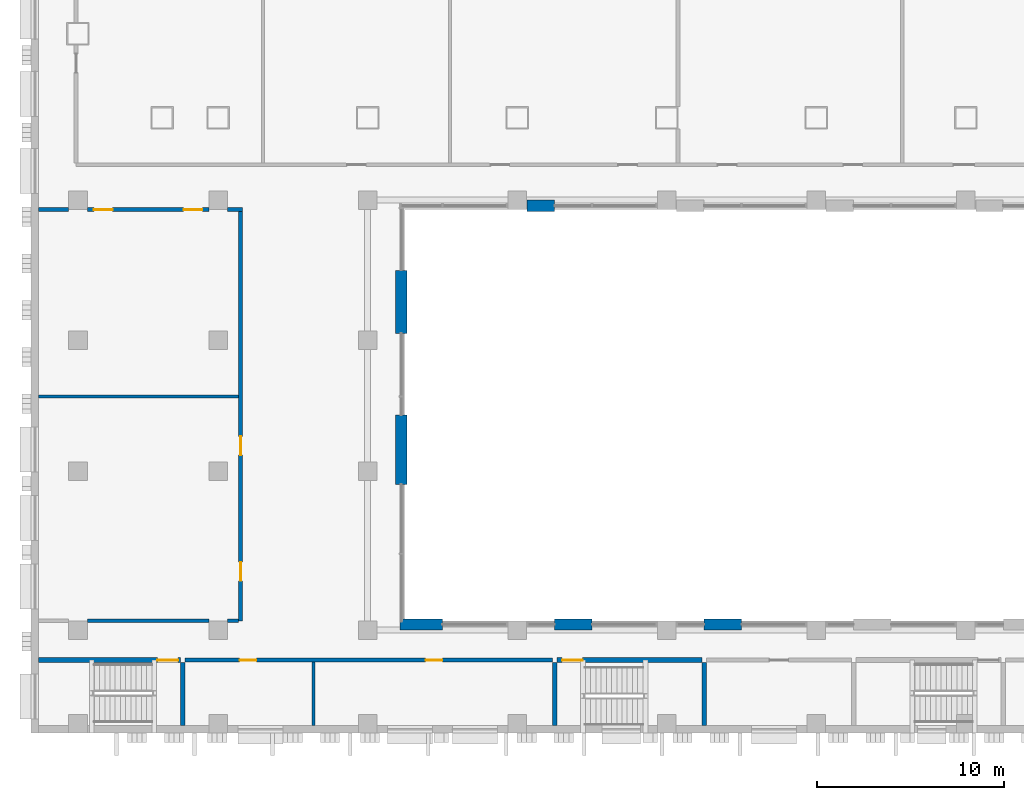
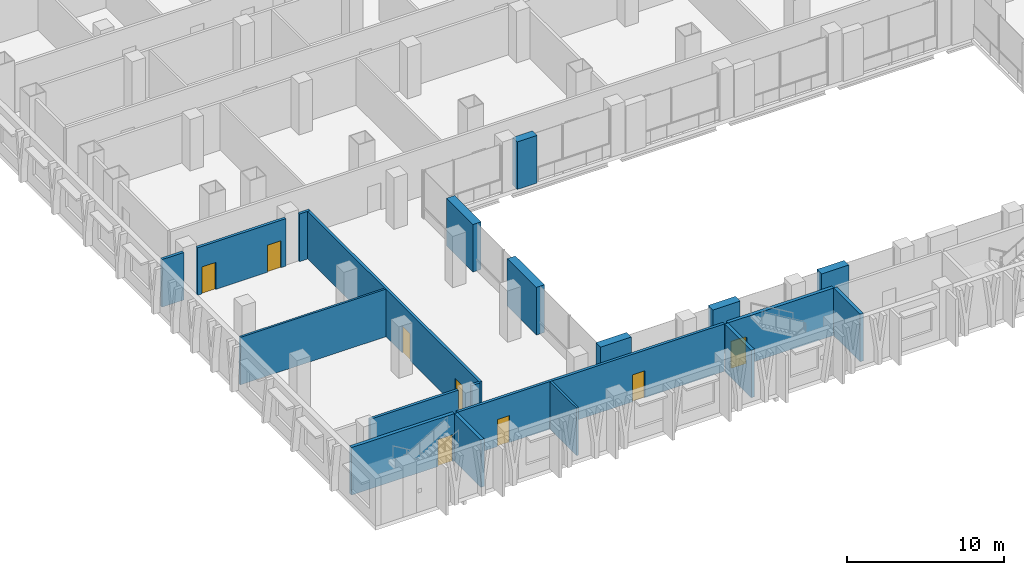
# One storey, part 8 of 26: 20 walls, 8 doors, 8 openings.
"""IFC4 building model written with IfcOpenShell, lengths in metres."""

from ifc_helpers import new_model, si_unit, direction, frame, frame_2d, origin, place, context, subcontext, project, spatial, rectangle, extrude, material, layer, layer_set, type_object, element, fill, save


model = new_model("IFC4")

# Units and contexts
model_context = context("Model", 3, precision=1e-05, world=origin(), true_north=direction((0.0, 1.0)))
body_context = subcontext(model_context, "Body", "Model", "MODEL_VIEW")
ifc_project = project(units=[si_unit("LENGTHUNIT", "METRE"), si_unit("AREAUNIT", "SQUARE_METRE"), si_unit("VOLUMEUNIT", "CUBIC_METRE"), si_unit("PLANEANGLEUNIT", "RADIAN"), si_unit("MASSUNIT", "GRAM", prefix="KILO")], contexts=[model_context])

# Site, building, storey
site_placement = place(None, origin())
site = spatial("IfcSite", under=ifc_project, at=site_placement, CompositionType="ELEMENT")
building_placement = place(site_placement, origin())
building = spatial("IfcBuilding", under=site, at=building_placement, Name="Vidyagriha Tower", CompositionType="ELEMENT")
storey_placement = place(building_placement, frame((0.0, 0.0, 6.0)))
storey = spatial("IfcBuildingStorey", under=building, at=storey_placement, Name="L01", CompositionType="ELEMENT", Elevation=6.0)

# Walls
ifc_material_1 = material(Name="Precast concrete C40/50 with brick facing", Category="concrete")
ifc_layer_1 = layer(ifc_material_1, 0.60009765625)
ifc_layer_set_1 = layer_set([ifc_layer_1], Name="Precast concrete C40/50 with brick facing")
wall_type_1 = type_object("IfcWallType", Name="Brick-faced precast wall 600", PredefinedType="STANDARD", material=ifc_layer_set_1)
for number, where, z_axis, x_axis, name in (
    (1, (-2.0, -44.199951171875, 0.0), (0.0, 0.0, 1.0), (-1.0, 0.0, 0.0), "Brick door bay wall L01 R07.12"),
    (2, (-10.0, -44.199951171875, 0.0), (0.0, 0.0, 1.0), (-1.0, 0.0, 0.0), "Brick door bay wall L01 R07.16"),
):
    element("IfcWall", number, at=place(storey_placement, frame(where, z_axis=z_axis, x_axis=x_axis)), inside=storey, type_object=wall_type_1, Name=name, PredefinedType="STANDARD", context=body_context, shape_type="SweptSolid", body=[
        extrude(rectangle(XDim=2.0, YDim=0.60009765625, at=frame_2d((1.0, 0.0))), origin(), (0.0, 0.0, 1.0), 3.699951171875),
    ])
wall_1_placement = place(storey_placement, frame((-18.0, -44.199951171875, 0.0), z_axis=(0.0, 0.0, 1.0), x_axis=(-1.0, 0.0, 0.0)))
element("IfcWall", 3, at=wall_1_placement, inside=storey, type_object=wall_type_1, Name="Brick door bay wall L01 R07.20", PredefinedType="STANDARD", context=body_context, shape_type="SweptSolid", body=[
    extrude(rectangle(XDim=2.280029296875, YDim=0.60009765625, at=frame_2d((1.14013671875, 0.0))), origin(), (0.0, 0.0, 1.0), 3.699951171875),
])
wall_2_placement = place(storey_placement, frame((-20.199951171875, -36.706787109375, 0.0), z_axis=(0.0, 0.0, 1.0), x_axis=(0.0, 1.0, 0.0)))
element("IfcWall", 4, at=wall_2_placement, inside=storey, type_object=wall_type_1, Name="Brick door bay wall L01 R08.3", PredefinedType="STANDARD", context=body_context, shape_type="SweptSolid", body=[
    extrude(rectangle(XDim=3.706787109375, YDim=0.60009765625, at=frame_2d((1.853515625, 0.0))), origin(), (0.0, 0.0, 1.0), 3.699951171875),
])
wall_3_placement = place(storey_placement, frame((-20.199951171875, -28.626708984375, 0.0), z_axis=(0.0, 0.0, 1.0), x_axis=(0.0, 1.0, 0.0)))
element("IfcWall", 5, at=wall_3_placement, inside=storey, type_object=wall_type_1, Name="Brick door bay wall L01 R08.6", PredefinedType="STANDARD", context=body_context, shape_type="SweptSolid", body=[
    extrude(rectangle(XDim=3.373291015625, YDim=0.60009765625, at=frame_2d((1.6865234375, 0.0))), origin(), (0.0, 0.0, 1.0), 3.699951171875),
])
wall_4_placement = place(storey_placement, frame((-13.469970703125, -21.800048828125, 0.0)))
element("IfcWall", 6, at=wall_4_placement, inside=storey, type_object=wall_type_1, Name="Brick door bay wall L01 R09.4", PredefinedType="STANDARD", context=body_context, shape_type="SweptSolid", body=[
    extrude(rectangle(XDim=1.469970703125, YDim=0.60009765625, at=frame_2d((0.73486328125, 0.0))), origin(), (0.0, 0.0, 1.0), 3.699951171875),
])

# Wall, opening, door
ifc_material_2 = material(Name="Concrete C32/40", Category="concrete")
ifc_layer_2 = layer(ifc_material_2, 0.25)
ifc_layer_set_2 = layer_set([ifc_layer_2], Name="Concrete C32/40")
wall_type_2 = type_object("IfcWallType", Name="Concrete Stair Enclosure Wall 250", PredefinedType="SOLIDWALL", material=ifc_layer_set_2)
wall_5_placement = place(storey_placement, frame((-39.60009765625, -46.10009765625, 0.0)))
wall_5 = element("IfcWall", 7, at=wall_5_placement, inside=storey, type_object=wall_type_2, Name="L01 Concrete Stair Enclosure Wall 250 003", PredefinedType="SOLIDWALL", context=body_context, shape_type="SweptSolid", body=[
    extrude(rectangle(XDim=7.5751953125, YDim=0.25, at=frame_2d((3.78759765625, 0.0))), origin(), (0.0, 0.0, 1.0), 3.699951171875),
])
opening_1_placement = place(wall_5_placement, frame((6.35498046875, 0.0, 0.0)))
opening_1 = element("IfcOpeningElement", 8, at=opening_1_placement, cuts=wall_5, Name="Opening D01-60", PredefinedType="OPENING", context=body_context, shape_type="SweptSolid", body=[
    extrude(rectangle(XDim=1.10009765625, YDim=2.10009765625, at=frame_2d((0.550048828125, 1.050048828125))), frame((0.0, 0.135009765625, 0.0), z_axis=(0.0, -1.0, 0.0), x_axis=(1.0, 0.0, 0.0)), (0.0, 0.0, 1.0), 0.27001953125),
])
ifc_material_3 = material(Name="Steel fire door set", Category="steel")
door_type_1 = type_object("IfcDoorType", Name="Podium Door 1100x2100 EI 90", OperationType="NOTDEFINED", PredefinedType="DOOR", material=ifc_material_3)
door_1_placement = place(opening_1_placement, origin())
door_1 = element("IfcDoor", 9, at=door_1_placement, inside=storey, type_object=door_type_1, Name="L01 door D01-60", OperationType="SINGLE_SWING_RIGHT", OverallHeight=2.10009765625, OverallWidth=1.10009765625, PredefinedType="DOOR", context=body_context, shape_type="SweptSolid", body=[
    extrude(rectangle(XDim=1.10009765625, YDim=2.10009765625, at=frame_2d((0.550048828125, 1.050048828125))), frame((0.0, 0.02490234375, 0.0), z_axis=(0.0, -1.0, 0.0), x_axis=(1.0, 0.0, 0.0)), (0.0, 0.0, 1.0), 0.050048828125),
])
fill(opening_1, door_1)

wall_6_placement = place(storey_placement, frame((-11.875, -46.10009765625, 0.0)))
wall_6 = element("IfcWall", 10, at=wall_6_placement, inside=storey, type_object=wall_type_2, Name="L01 Concrete Stair Enclosure Wall 250 004", PredefinedType="SOLIDWALL", context=body_context, shape_type="SweptSolid", body=[
    extrude(rectangle(XDim=7.75, YDim=0.25, at=frame_2d((3.875, 0.0))), origin(), (0.0, 0.0, 1.0), 3.699951171875),
])
opening_2_placement = place(wall_6_placement, frame((0.27001953125, 0.0, 0.0)))
opening_2 = element("IfcOpeningElement", 11, at=opening_2_placement, cuts=wall_6, Name="Opening D01-62", PredefinedType="OPENING", context=body_context, shape_type="SweptSolid", body=[
    extrude(rectangle(XDim=1.10009765625, YDim=2.10009765625, at=frame_2d((0.550048828125, 1.050048828125))), frame((0.0, 0.135009765625, 0.0), z_axis=(0.0, -1.0, 0.0), x_axis=(1.0, 0.0, 0.0)), (0.0, 0.0, 1.0), 0.27001953125),
])
door_2_placement = place(opening_2_placement, origin())
door_2 = element("IfcDoor", 12, at=door_2_placement, inside=storey, type_object=door_type_1, Name="L01 door D01-62", OperationType="SINGLE_SWING_LEFT", OverallHeight=2.10009765625, OverallWidth=1.10009765625, PredefinedType="DOOR", context=body_context, shape_type="SweptSolid", body=[
    extrude(rectangle(XDim=1.10009765625, YDim=2.10009765625, at=frame_2d((0.550048828125, 1.050048828125))), frame((0.0, 0.02490234375, 0.0), z_axis=(0.0, -1.0, 0.0), x_axis=(1.0, 0.0, 0.0)), (0.0, 0.0, 1.0), 0.050048828125),
])
fill(opening_2, door_2)

# Walls
for number, where, z_axis, x_axis, name in (
    (13, (-31.89990234375, -49.60009765625, 0.0), (0.0, 0.0, 1.0), (0.0, 1.0, 0.0), "L01 Concrete Stair Enclosure Wall 250 043"),
    (14, (-12.0, -49.60009765625, 0.0), (0.0, 0.0, 1.0), (0.0, 1.0, 0.0), "L01 Concrete Stair Enclosure Wall 250 056"),
    (15, (-4.0, -49.60009765625, 0.0), (0.0, 0.0, 1.0), (0.0, 1.0, 0.0), "L01 Concrete Stair Enclosure Wall 250 060"),
):
    element("IfcWall", number, at=place(storey_placement, frame(where, z_axis=z_axis, x_axis=x_axis)), inside=storey, type_object=wall_type_2, Name=name, PredefinedType="SOLIDWALL", context=body_context, shape_type="SweptSolid", body=[
        extrude(rectangle(XDim=3.375, YDim=0.25, at=frame_2d((1.6875, 0.0))), origin(), (0.0, 0.0, 1.0), 3.699951171875),
    ])

# Wall, openings, doors
ifc_material_4 = material(Name="Fire rated gypsum board on light gauge framing")
ifc_layer_3 = layer(ifc_material_4, 0.199951171875)
ifc_layer_set_3 = layer_set([ifc_layer_3], Name="Fire rated gypsum board on light gauge framing")
wall_type_3 = type_object("IfcWallType", Name="Fire Rated Corridor Wall 200", PredefinedType="PARTITIONING", material=ifc_layer_set_3)
wall_7_placement = place(storey_placement, frame((-31.77490234375, -46.10009765625, 0.0)))
wall_7 = element("IfcWall", 16, at=wall_7_placement, inside=storey, type_object=wall_type_3, Name="L01 Fire Rated Corridor Wall 200 000", PredefinedType="PARTITIONING", context=body_context, shape_type="SweptSolid", body=[
    extrude(rectangle(XDim=19.64990234375, YDim=0.199951171875, at=frame_2d((9.824951171875, 0.0))), origin(), (0.0, 0.0, 1.0), 3.699951171875),
])
opening_3_placement = place(wall_7_placement, frame((2.925048828125, 0.0, 0.0)))
opening_3 = element("IfcOpeningElement", 17, at=opening_3_placement, cuts=wall_7, Name="Opening D01-21", PredefinedType="OPENING", context=body_context, shape_type="SweptSolid", body=[
    extrude(rectangle(XDim=0.89990234375, YDim=2.10009765625, at=frame_2d((0.449951171875, 1.050048828125))), frame((0.0, 0.10986328125, 0.0), z_axis=(0.0, -1.0, 0.0), x_axis=(1.0, 0.0, 0.0)), (0.0, 0.0, 1.0), 0.219970703125),
])
opening_4_placement = place(wall_7_placement, frame((12.875, 0.0, 0.0)))
opening_4 = element("IfcOpeningElement", 18, at=opening_4_placement, cuts=wall_7, Name="Opening D01-22", PredefinedType="OPENING", context=body_context, shape_type="SweptSolid", body=[
    extrude(rectangle(XDim=0.89990234375, YDim=2.10009765625, at=frame_2d((0.449951171875, 1.050048828125))), frame((0.0, 0.10986328125, 0.0), z_axis=(0.0, -1.0, 0.0), x_axis=(1.0, 0.0, 0.0)), (0.0, 0.0, 1.0), 0.219970703125),
])
ifc_material_5 = material(Name="Steel fire door set", Category="steel")
door_type_2 = type_object("IfcDoorType", Name="Podium Door 900x2100 EI 30", OperationType="NOTDEFINED", PredefinedType="DOOR", material=ifc_material_5)
door_3_placement = place(opening_3_placement, frame((0.89990234375, 0.0, 0.0), z_axis=(0.0, 0.0, 1.0), x_axis=(-1.0, 0.0, 0.0)))
door_3 = element("IfcDoor", 19, at=door_3_placement, inside=storey, type_object=door_type_2, Name="L01 door D01-21", OperationType="SINGLE_SWING_LEFT", OverallHeight=2.10009765625, OverallWidth=0.89990234375, PredefinedType="DOOR", context=body_context, shape_type="SweptSolid", body=[
    extrude(rectangle(XDim=0.89990234375, YDim=2.10009765625, at=frame_2d((0.449951171875, 1.050048828125))), frame((0.0, 0.02490234375, 0.0), z_axis=(0.0, -1.0, 0.0), x_axis=(1.0, 0.0, 0.0)), (0.0, 0.0, 1.0), 0.050048828125),
])
fill(opening_3, door_3)
door_4_placement = place(opening_4_placement, frame((0.89990234375, 0.0, 0.0), z_axis=(0.0, 0.0, 1.0), x_axis=(-1.0, 0.0, 0.0)))
door_4 = element("IfcDoor", 20, at=door_4_placement, inside=storey, type_object=door_type_2, Name="L01 door D01-22", OperationType="SINGLE_SWING_RIGHT", OverallHeight=2.10009765625, OverallWidth=0.89990234375, PredefinedType="DOOR", context=body_context, shape_type="SweptSolid", body=[
    extrude(rectangle(XDim=0.89990234375, YDim=2.10009765625, at=frame_2d((0.449951171875, 1.050048828125))), frame((0.0, 0.02490234375, 0.0), z_axis=(0.0, -1.0, 0.0), x_axis=(1.0, 0.0, 0.0)), (0.0, 0.0, 1.0), 0.050048828125),
])
fill(opening_4, door_4)

# Walls
wall_8_placement = place(storey_placement, frame((-37.0, -44.0, 0.0)))
element("IfcWall", 21, at=wall_8_placement, inside=storey, type_object=wall_type_3, Name="L01 Fire Rated Corridor Wall 200 008", PredefinedType="PARTITIONING", context=body_context, shape_type="SweptSolid", body=[
    extrude(rectangle(XDim=6.5, YDim=0.199951171875, at=frame_2d((3.25, 0.0))), origin(), (0.0, 0.0, 1.0), 3.699951171875),
])
wall_9_placement = place(storey_placement, frame((-29.5, -44.0, 0.0)))
element("IfcWall", 22, at=wall_9_placement, inside=storey, type_object=wall_type_3, Name="L01 Fire Rated Corridor Wall 200 009", PredefinedType="PARTITIONING", context=body_context, shape_type="SweptSolid", body=[
    extrude(rectangle(XDim=0.599853515625, YDim=0.199951171875, at=frame_2d((0.2998046875, 0.0))), origin(), (0.0, 0.0, 1.0), 3.699951171875),
])
wall_10_placement = place(storey_placement, frame((-39.60009765625, -22.0, 0.0)))
element("IfcWall", 23, at=wall_10_placement, inside=storey, type_object=wall_type_3, Name="L01 Fire Rated Corridor Wall 200 015", PredefinedType="PARTITIONING", context=body_context, shape_type="SweptSolid", body=[
    extrude(rectangle(XDim=1.60009765625, YDim=0.199951171875, at=frame_2d((0.800048828125, 0.0))), origin(), (0.0, 0.0, 1.0), 3.699951171875),
])

# Wall, openings, doors
wall_11_placement = place(storey_placement, frame((-37.0, -22.0, 0.0)))
wall_11 = element("IfcWall", 24, at=wall_11_placement, inside=storey, type_object=wall_type_3, Name="L01 Fire Rated Corridor Wall 200 016", PredefinedType="PARTITIONING", context=body_context, shape_type="SweptSolid", body=[
    extrude(rectangle(XDim=6.5, YDim=0.199951171875, at=frame_2d((3.25, 0.0))), origin(), (0.0, 0.0, 1.0), 3.699951171875),
])
opening_5_placement = place(wall_11_placement, frame((0.35009765625, 0.0, 0.0)))
opening_5 = element("IfcOpeningElement", 25, at=opening_5_placement, cuts=wall_11, Name="Opening D01-15", PredefinedType="OPENING", context=body_context, shape_type="SweptSolid", body=[
    extrude(rectangle(XDim=1.0, YDim=2.10009765625, at=frame_2d((0.5, 1.050048828125))), frame((0.0, 0.10986328125, 0.0), z_axis=(0.0, -1.0, 0.0), x_axis=(1.0, 0.0, 0.0)), (0.0, 0.0, 1.0), 0.219970703125),
])
opening_6_placement = place(wall_11_placement, frame((5.14990234375, 0.0, 0.0)))
opening_6 = element("IfcOpeningElement", 26, at=opening_6_placement, cuts=wall_11, Name="Opening D01-16", PredefinedType="OPENING", context=body_context, shape_type="SweptSolid", body=[
    extrude(rectangle(XDim=1.0, YDim=2.10009765625, at=frame_2d((0.5, 1.050048828125))), frame((0.0, 0.10986328125, 0.0), z_axis=(0.0, -1.0, 0.0), x_axis=(1.0, 0.0, 0.0)), (0.0, 0.0, 1.0), 0.219970703125),
])
ifc_material_6 = material(Name="Steel fire door set", Category="steel")
door_type_3 = type_object("IfcDoorType", Name="Podium Door 1000x2100 EI 30", OperationType="NOTDEFINED", PredefinedType="DOOR", material=ifc_material_6)
door_5_placement = place(opening_5_placement, frame((1.0, 0.0, 0.0), z_axis=(0.0, 0.0, 1.0), x_axis=(-1.0, 0.0, 0.0)))
door_5 = element("IfcDoor", 27, at=door_5_placement, inside=storey, type_object=door_type_3, Name="L01 door D01-15", OperationType="SINGLE_SWING_LEFT", OverallHeight=2.10009765625, OverallWidth=1.0, PredefinedType="DOOR", context=body_context, shape_type="SweptSolid", body=[
    extrude(rectangle(XDim=1.0, YDim=2.10009765625, at=frame_2d((0.5, 1.050048828125))), frame((0.0, 0.02490234375, 0.0), z_axis=(0.0, -1.0, 0.0), x_axis=(1.0, 0.0, 0.0)), (0.0, 0.0, 1.0), 0.050048828125),
])
fill(opening_5, door_5)
door_6_placement = place(opening_6_placement, frame((1.0, 0.0, 0.0), z_axis=(0.0, 0.0, 1.0), x_axis=(-1.0, 0.0, 0.0)))
door_6 = element("IfcDoor", 28, at=door_6_placement, inside=storey, type_object=door_type_3, Name="L01 door D01-16", OperationType="SINGLE_SWING_RIGHT", OverallHeight=2.10009765625, OverallWidth=1.0, PredefinedType="DOOR", context=body_context, shape_type="SweptSolid", body=[
    extrude(rectangle(XDim=1.0, YDim=2.10009765625, at=frame_2d((0.5, 1.050048828125))), frame((0.0, 0.02490234375, 0.0), z_axis=(0.0, -1.0, 0.0), x_axis=(1.0, 0.0, 0.0)), (0.0, 0.0, 1.0), 0.050048828125),
])
fill(opening_6, door_6)

# Wall
wall_12_placement = place(storey_placement, frame((-29.5, -22.0, 0.0)))
element("IfcWall", 29, at=wall_12_placement, inside=storey, type_object=wall_type_3, Name="L01 Fire Rated Corridor Wall 200 017", PredefinedType="PARTITIONING", context=body_context, shape_type="SweptSolid", body=[
    extrude(rectangle(XDim=0.7998046875, YDim=0.199951171875, at=frame_2d((0.39990234375, 0.0))), origin(), (0.0, 0.0, 1.0), 3.699951171875),
])

# Wall, openings, doors
wall_13_placement = place(storey_placement, frame((-28.800048828125, -44.0, 0.0), z_axis=(0.0, 0.0, 1.0), x_axis=(0.0, 1.0, 0.0)))
wall_13 = element("IfcWall", 30, at=wall_13_placement, inside=storey, type_object=wall_type_3, Name="L01 Fire Rated Corridor Wall 200 045", PredefinedType="PARTITIONING", context=body_context, shape_type="SweptSolid", body=[
    extrude(rectangle(XDim=21.89990234375, YDim=0.199951171875, at=frame_2d((10.949951171875, 0.0))), origin(), (0.0, 0.0, 1.0), 3.699951171875),
])
opening_7_placement = place(wall_13_placement, frame((2.139892578125, 0.0, 0.0)))
opening_7 = element("IfcOpeningElement", 31, at=opening_7_placement, cuts=wall_13, Name="Opening D01-13", PredefinedType="OPENING", context=body_context, shape_type="SweptSolid", body=[
    extrude(rectangle(XDim=1.0, YDim=2.10009765625, at=frame_2d((0.5, 1.050048828125))), frame((0.0, 0.10986328125, 0.0), z_axis=(0.0, -1.0, 0.0), x_axis=(1.0, 0.0, 0.0)), (0.0, 0.0, 1.0), 0.219970703125),
])
opening_8_placement = place(wall_13_placement, frame((8.85986328125, 0.0, 0.0)))
opening_8 = element("IfcOpeningElement", 32, at=opening_8_placement, cuts=wall_13, Name="Opening D01-14", PredefinedType="OPENING", context=body_context, shape_type="SweptSolid", body=[
    extrude(rectangle(XDim=1.0, YDim=2.10009765625, at=frame_2d((0.5, 1.050048828125))), frame((0.0, 0.10986328125, 0.0), z_axis=(0.0, -1.0, 0.0), x_axis=(1.0, 0.0, 0.0)), (0.0, 0.0, 1.0), 0.219970703125),
])
door_7_placement = place(opening_7_placement, frame((1.0, 0.0, 0.0), z_axis=(0.0, 0.0, 1.0), x_axis=(-1.0, 0.0, 0.0)))
door_7 = element("IfcDoor", 33, at=door_7_placement, inside=storey, type_object=door_type_3, Name="L01 door D01-13", OperationType="SINGLE_SWING_LEFT", OverallHeight=2.10009765625, OverallWidth=1.0, PredefinedType="DOOR", context=body_context, shape_type="SweptSolid", body=[
    extrude(rectangle(XDim=1.0, YDim=2.10009765625, at=frame_2d((0.5, 1.050048828125))), frame((0.0, 0.02490234375, 0.0), z_axis=(0.0, -1.0, 0.0), x_axis=(1.0, 0.0, 0.0)), (0.0, 0.0, 1.0), 0.050048828125),
])
fill(opening_7, door_7)
door_8_placement = place(opening_8_placement, frame((1.0, 0.0, 0.0), z_axis=(0.0, 0.0, 1.0), x_axis=(-1.0, 0.0, 0.0)))
door_8 = element("IfcDoor", 34, at=door_8_placement, inside=storey, type_object=door_type_3, Name="L01 door D01-14", OperationType="SINGLE_SWING_LEFT", OverallHeight=2.10009765625, OverallWidth=1.0, PredefinedType="DOOR", context=body_context, shape_type="SweptSolid", body=[
    extrude(rectangle(XDim=1.0, YDim=2.10009765625, at=frame_2d((0.5, 1.050048828125))), frame((0.0, 0.02490234375, 0.0), z_axis=(0.0, -1.0, 0.0), x_axis=(1.0, 0.0, 0.0)), (0.0, 0.0, 1.0), 0.050048828125),
])
fill(opening_8, door_8)

# Walls
ifc_material_7 = material(Name="Gypsum board on light gauge framing")
ifc_layer_4 = layer(ifc_material_7, 0.14990234375)
ifc_layer_set_4 = layer_set([ifc_layer_4], Name="Gypsum board on light gauge framing")
wall_type_4 = type_object("IfcWallType", Name="Gypsum Board Partition 150", PredefinedType="PARTITIONING", material=ifc_layer_set_4)
wall_14_placement = place(storey_placement, frame((-39.60009765625, -32.0, 0.0)))
element("IfcWall", 35, at=wall_14_placement, inside=storey, type_object=wall_type_4, Name="L01 Gypsum Board Partition 150 014", PredefinedType="PARTITIONING", context=body_context, shape_type="SweptSolid", body=[
    extrude(rectangle(XDim=10.7001953125, YDim=0.14990234375, at=frame_2d((5.35009765625, 0.0))), origin(), (0.0, 0.0, 1.0), 3.699951171875),
])
wall_15_placement = place(storey_placement, frame((-24.89990234375, -49.60009765625, 0.0), z_axis=(0.0, 0.0, 1.0), x_axis=(0.0, 1.0, 0.0)))
element("IfcWall", 36, at=wall_15_placement, inside=storey, type_object=wall_type_4, Name="L01 Gypsum Board Partition 150 049", PredefinedType="PARTITIONING", context=body_context, shape_type="SweptSolid", body=[
    extrude(rectangle(XDim=3.400146484375, YDim=0.14990234375, at=frame_2d((1.7001953125, 0.0))), origin(), (0.0, 0.0, 1.0), 3.699951171875),
])

save(model, "model.ifc")
